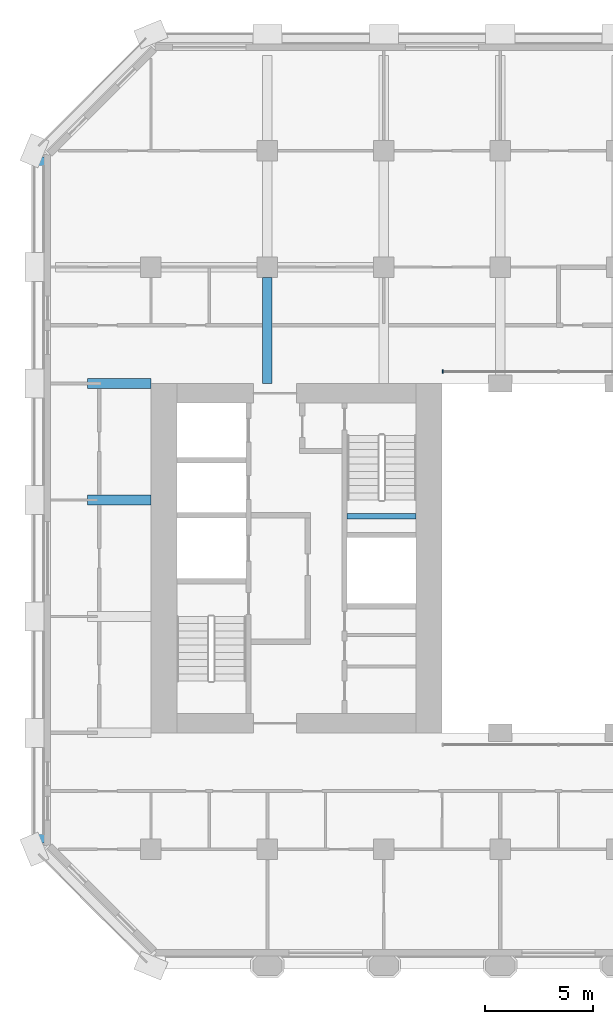
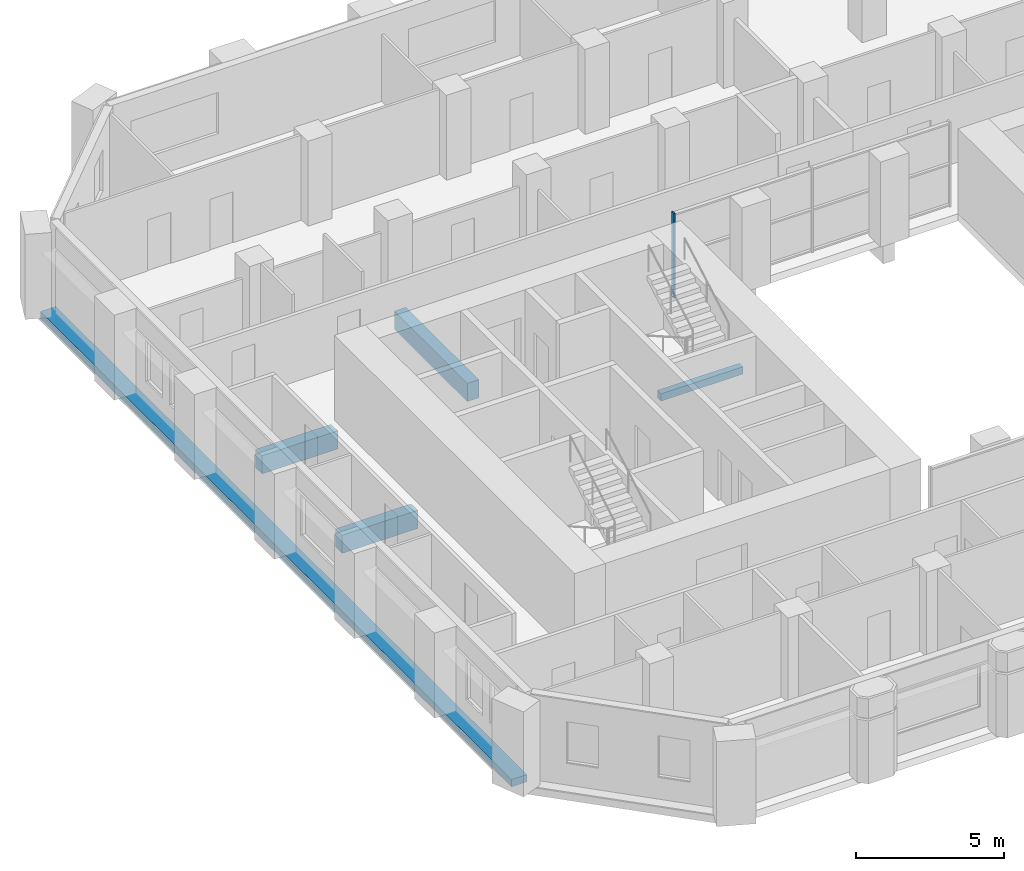
# One storey, part 3 of 13: 5 beams, 1 member, 1 element without a shape of its own.
"""IFC4 building model written with IfcOpenShell, lengths in metres."""

from ifc_helpers import new_model, si_unit, direction, frame, origin, origin_2d, place, context, subcontext, project, spatial, rectangle, extrude, material, material_profile, profile_set, type_object, element, aggregate, save


model = new_model("IFC4")

# Units and contexts
model_context = context("Model", 3, precision=1e-05, world=origin(), true_north=direction((0.0, 1.0)))
body_context = subcontext(model_context, "Body", "Model", "MODEL_VIEW")
ifc_project = project(units=[si_unit("LENGTHUNIT", "METRE"), si_unit("AREAUNIT", "SQUARE_METRE"), si_unit("VOLUMEUNIT", "CUBIC_METRE"), si_unit("PLANEANGLEUNIT", "RADIAN"), si_unit("MASSUNIT", "GRAM", prefix="KILO")], contexts=[model_context])

# Site, building, storey
site_placement = place(None, origin())
site = spatial("IfcSite", under=ifc_project, at=site_placement, CompositionType="ELEMENT")
building_placement = place(site_placement, origin())
building = spatial("IfcBuilding", under=site, at=building_placement, Name="Tabaq Tower and Sports Hall", CompositionType="ELEMENT")
storey_placement = place(building_placement, frame((0.0, 0.0, 114.39990234375)))
storey = spatial("IfcBuildingStorey", under=building, at=storey_placement, Name="L27", CompositionType="ELEMENT", Elevation=114.39990234375)

# Curtain wall, member
ifc_material_1 = material(Name="Aluminium alloy 6063-T6 framed glazing", Category="aluminium")
curtain_wall_type = type_object("IfcCurtainWallType", Name="CW1 curtain wall", PredefinedType="USERDEFINED", material=ifc_material_1)
curtain_wall_placement = place(storey_placement, origin())
curtain_wall = element("IfcCurtainWall", 1, at=curtain_wall_placement, inside=storey, type_object=curtain_wall_type, Name="Atrium glazing L27 N", ObjectType="ATRIUM ENCLOSURE", PredefinedType="USERDEFINED")
ifc_material_2 = material(Name="Aluminium alloy 6063-T6", Category="aluminium")
ifc_material_profile_1 = material_profile(ifc_material_2, rectangle(XDim=0.159912109375, YDim=0.06005859375, at=origin_2d()), Name="MULLION 160x60")
ifc_profile_set_1 = profile_set([ifc_material_profile_1], Name="Aluminium alloy 6063-T6")
member_type = type_object("IfcMemberType", Name="CW1 mullion 160x60", PredefinedType="MULLION", material=ifc_profile_set_1)
member_placement = place(storey_placement, frame((18.929931640625, 32.949951171875, 0.0), z_axis=(0.0, 0.0, 1.0), x_axis=(0.0, 1.0, 0.0)))
member = element("IfcMember", 2, at=member_placement, type_object=member_type, Name="CW1 mullion 1", PredefinedType="MULLION", context=body_context, shape_type="SweptSolid", body=[
    extrude(rectangle(XDim=0.159912109375, YDim=0.06005859375, at=origin_2d()), origin(), (0.0, 0.0, 1.0), 3.5),
])
aggregate(curtain_wall, [member])

# Beams
ifc_material_3 = material(Name="Concrete C40/50", Category="concrete")
ifc_material_profile_2 = material_profile(ifc_material_3, rectangle(XDim=0.449951171875, YDim=0.75, at=origin_2d()), Name="CB 450x750")
ifc_profile_set_2 = profile_set([ifc_material_profile_2], Name="Concrete C40/50")
beam_type_1 = type_object("IfcBeamType", Name="PT CANTILEVER BEAM CB 450x750 C40/50", PredefinedType="BEAM", material=ifc_profile_set_2)
for number, where, z_axis, x_axis, name in (
    (3, (2.449951171875, 27.0, -0.6748046875), (1.0, 0.0, 0.0), (0.0, 1.0, 0.0), "Cantilever Beam L27 W5 span 1"),
    (4, (2.449951171875, 32.39990234375, -0.6748046875), (1.0, 0.0, 0.0), (0.0, 1.0, 0.0), "Cantilever Beam L27 W6 span 1"),
):
    element("IfcBeam", number, at=place(storey_placement, frame(where, z_axis=z_axis, x_axis=x_axis)), inside=storey, type_object=beam_type_1, Name=name, PredefinedType="BEAM", context=body_context, shape_type="SweptSolid", body=[
        extrude(rectangle(XDim=0.449951171875, YDim=0.75, at=origin_2d()), origin(), (0.0, 0.0, 1.0), 2.949951171875),
    ])
beam_1_placement = place(storey_placement, frame((10.800048828125, 37.324951171875, -0.6748046875), z_axis=(0.0, -1.0, 0.0), x_axis=(1.0, 0.0, 0.0)))
element("IfcBeam", 5, at=beam_1_placement, inside=storey, type_object=beam_type_1, Name="Cantilever Beam L27 N2 span 3", PredefinedType="BEAM", context=body_context, shape_type="SweptSolid", body=[
    extrude(rectangle(XDim=0.449951171875, YDim=0.75, at=origin_2d()), origin(), (0.0, 0.0, 1.0), 4.925048828125),
])
ifc_material_4 = material(Name="Concrete C40/50", Category="concrete")
ifc_material_profile_3 = material_profile(ifc_material_4, rectangle(XDim=0.60009765625, YDim=0.300048828125, at=origin_2d()), Name="EB 600x300")
ifc_profile_set_3 = profile_set([ifc_material_profile_3], Name="Concrete C40/50")
beam_type_2 = type_object("IfcBeamType", Name="PT EDGE BEAM EB 600x300 C40/50", PredefinedType="SPANDREL", material=ifc_profile_set_3)
beam_2_placement = place(storey_placement, frame((0.300048828125, 42.9013671875, -0.14990234375), z_axis=(0.0, -1.0, 0.0), x_axis=(1.0, 0.0, 0.0)))
element("IfcBeam", 6, at=beam_2_placement, inside=storey, type_object=beam_type_2, Name="Edge Beam L27 4", PredefinedType="SPANDREL", context=body_context, shape_type="SweptSolid", body=[
    extrude(rectangle(XDim=0.60009765625, YDim=0.300048828125, at=origin_2d()), origin(), (0.0, 0.0, 1.0), 31.802734375),
])
ifc_material_5 = material(Name="Concrete C40/50", Category="concrete")
ifc_material_profile_4 = material_profile(ifc_material_5, rectangle(XDim=0.25, YDim=0.300048828125, at=origin_2d()), Name="RC 250x300")
ifc_profile_set_4 = profile_set([ifc_material_profile_4], Name="Concrete C40/50")
beam_type_3 = type_object("IfcBeamType", Name="Stair landing beam 250x300", PredefinedType="BEAM", material=ifc_profile_set_4)
beam_3_placement = place(storey_placement, frame((14.5, 26.25, 1.550048828125), z_axis=(1.0, 0.0, 0.0), x_axis=(0.0, 1.0, 0.0)))
element("IfcBeam", 7, at=beam_3_placement, inside=storey, type_object=beam_type_3, Name="L27 ST2 landing beam 1", PredefinedType="BEAM", context=body_context, shape_type="SweptSolid", body=[
    extrude(rectangle(XDim=0.25, YDim=0.300048828125, at=origin_2d()), origin(), (0.0, 0.0, 1.0), 3.199951171875),
])

save(model, "model.ifc")
